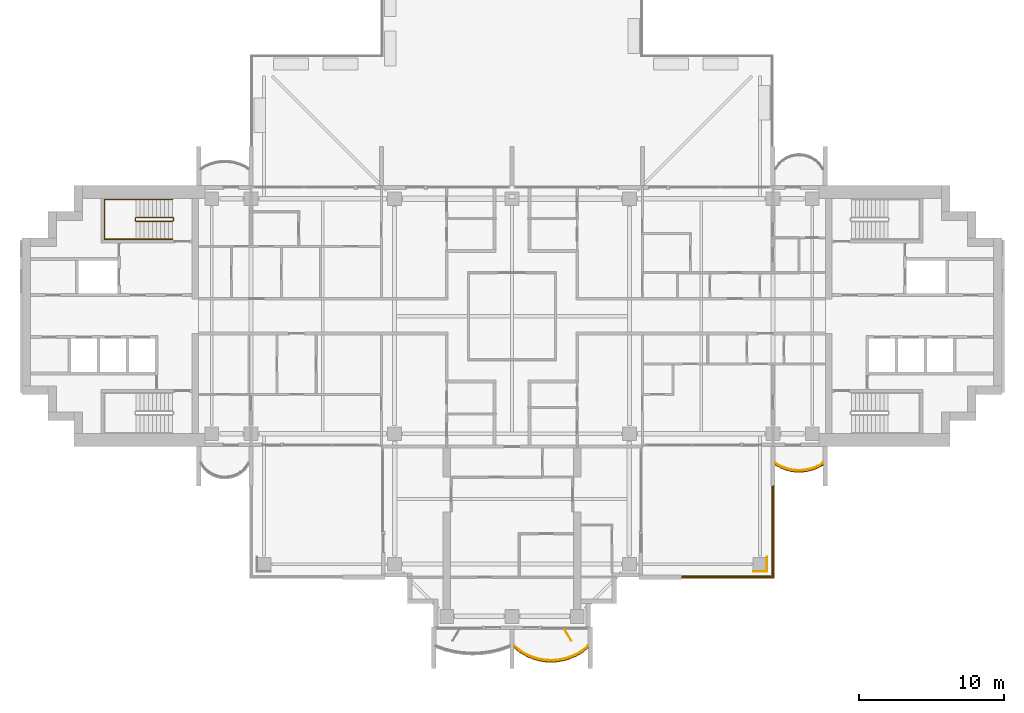
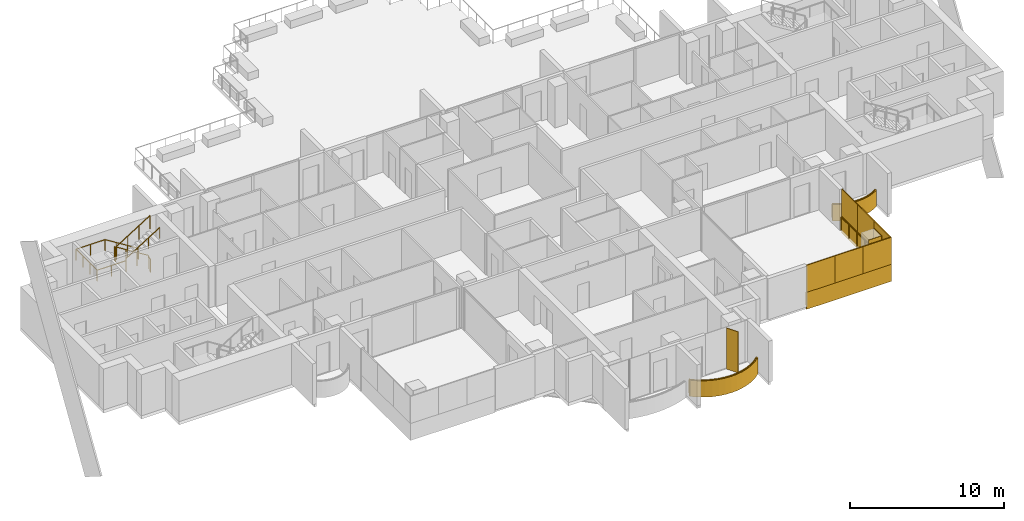
# One storey, part 16 of 18: 11 coverings, 5 railings, 1 shading device.
"""IFC4 building model written with IfcOpenShell, lengths in metres."""

from ifc_helpers import new_model, si_unit, direction, frame, origin, origin_2d, place, context, subcontext, project, spatial, polyline, rectangle, outline, extrude, material, layer, layer_set, type_object, element, save


model = new_model("IFC4")

# Units and contexts
model_context = context("Model", 3, precision=1e-05, world=origin(), true_north=direction((0.0, 1.0)))
body_context = subcontext(model_context, "Body", "Model", "MODEL_VIEW")
ifc_project = project(units=[si_unit("LENGTHUNIT", "METRE"), si_unit("AREAUNIT", "SQUARE_METRE"), si_unit("VOLUMEUNIT", "CUBIC_METRE"), si_unit("PLANEANGLEUNIT", "RADIAN"), si_unit("MASSUNIT", "GRAM", prefix="KILO")], contexts=[model_context])

# Site, building, storey
site_placement = place(None, origin())
site = spatial("IfcSite", under=ifc_project, at=site_placement, CompositionType="ELEMENT")
building_placement = place(site_placement, origin())
building = spatial("IfcBuilding", under=site, at=building_placement, Name="Perihelion Cross Residences", CompositionType="ELEMENT")
storey_placement = place(building_placement, frame((0.0, 0.0, 166.60009765625)))
storey = spatial("IfcBuildingStorey", under=building, at=storey_placement, Name="L40", CompositionType="ELEMENT", Elevation=166.60009765625)

# Coverings
ifc_material_1 = material(Name="Bronze anodised aluminium", Category="aluminium")
ifc_layer_1 = layer(ifc_material_1, 0.070068359375)
ifc_layer_set_1 = layer_set([ifc_layer_1], Name="Balcony fascia 1300")
covering_type_1 = type_object("IfcCoveringType", Name="Balcony fascia 1300", PredefinedType="CLADDING", material=ifc_layer_set_1)
covering_1_placement = place(storey_placement, frame((0.0, 0.0, -0.2001953125)))
element("IfcCovering", 1, at=covering_1_placement, inside=storey, type_object=covering_type_1, Name="Fascia BF1 L40 south tip south bay 2", PredefinedType="CLADDING", context=body_context, shape_type="SweptSolid", body=[
    extrude(outline(polyline([(0.53515625, -23.197509765625), (0.96826171875, -23.455078125), (1.401123046875, -23.642578125), (1.833984375, -23.7705078125), (2.26708984375, -23.845458984375), (2.699951171875, -23.8701171875), (3.133056640625, -23.845458984375), (3.56591796875, -23.7705078125), (3.998779296875, -23.642578125), (4.431884765625, -23.455078125), (4.86474609375, -23.197509765625), (5.25, -22.8896484375), (5.25, -22.800048828125), (4.824951171875, -23.14013671875), (4.39990234375, -23.392578125), (3.97509765625, -23.57666015625), (3.550048828125, -23.702392578125), (3.125, -23.77587890625), (2.699951171875, -23.800048828125), (2.27490234375, -23.77587890625), (1.85009765625, -23.702392578125), (1.425048828125, -23.57666015625), (1.0, -23.392578125), (0.574951171875, -23.14013671875), (0.14990234375, -22.800048828125), (0.14990234375, -22.8896484375), (0.53515625, -23.197509765625)])), origin(), (0.0, 0.0, 1.0), 1.300048828125),
])
covering_2_placement = place(storey_placement, frame((0.0, 0.0, -0.2001953125)))
element("IfcCovering", 2, at=covering_2_placement, inside=storey, type_object=covering_type_1, Name="Fascia BF1 L40 east side south bay 2", PredefinedType="CLADDING", context=body_context, shape_type="SweptSolid", body=[
    extrude(outline(polyline([(18.486328125, -10.4716796875), (18.861572265625, -10.62158203125), (19.237060546875, -10.717529296875), (19.6123046875, -10.76416015625), (19.987548828125, -10.76416015625), (20.363037109375, -10.717529296875), (20.73828125, -10.62158203125), (21.11376953125, -10.4716796875), (21.449951171875, -10.280517578125), (21.449951171875, -10.199951171875), (21.083251953125, -10.40869140625), (20.716552734375, -10.55517578125), (20.35009765625, -10.648681640625), (19.9833984375, -10.6943359375), (19.61669921875, -10.6943359375), (19.25, -10.648681640625), (18.88330078125, -10.55517578125), (18.5166015625, -10.40869140625), (18.14990234375, -10.199951171875), (18.14990234375, -10.280517578125), (18.486328125, -10.4716796875)])), origin(), (0.0, 0.0, 1.0), 1.300048828125),
])

# Railings
ifc_material_2 = material(Name="Bronze anodised aluminium", Category="aluminium")
railing_type_1 = type_object("IfcRailingType", Name="Balcony guard 1100", PredefinedType="GUARDRAIL", material=ifc_material_2)
railing_1_placement = place(storey_placement, frame((0.175048828125, -22.739990234375, 0.0)))
element("IfcRailing", 3, at=railing_1_placement, inside=storey, type_object=railing_type_1, Name="Guard GU1 L40 south tip south bay 2 balcony", PredefinedType="GUARDRAIL", context=body_context, shape_type="SweptSolid", body=[
    extrude(rectangle(XDim=0.048095703125, YDim=0.048095703125, at=origin_2d()), frame((0.0, 0.0, 1.076171875), z_axis=(0.761778647315, -0.647837396648, 0.0), x_axis=(0.647837396648, 0.761778647315, 0.0)), (0.0, 0.0, 1.0), 0.52490234375),
    extrude(rectangle(XDim=0.048095703125, YDim=0.048095703125, at=origin_2d()), frame((0.39990234375, -0.340087890625, 1.076171875), z_axis=(0.859576918062, -0.511006381501, 0.0), x_axis=(0.511006381501, 0.859576918062, 0.0)), (0.0, 0.0, 1.0), 0.494384765625),
    extrude(rectangle(XDim=0.048095703125, YDim=0.048095703125, at=origin_2d()), frame((0.824951171875, -0.5927734375, 1.076171875), z_axis=(0.917831080218, -0.396971167952, 0.0), x_axis=(0.396971167952, 0.917831080218, 0.0)), (0.0, 0.0, 1.0), 0.463134765625),
    extrude(rectangle(XDim=0.048095703125, YDim=0.048095703125, at=origin_2d()), frame((1.25, -0.776611328125, 1.076171875), z_axis=(0.958925815697, -0.283656975924, 0.0), x_axis=(0.283656975924, 0.958925815697, 0.0)), (0.0, 0.0, 1.0), 0.443359375),
    extrude(rectangle(XDim=0.048095703125, YDim=0.048095703125, at=origin_2d()), frame((1.675048828125, -0.90234375, 1.076171875), z_axis=(0.985365142702, -0.170456843651, 0.0), x_axis=(0.170456843651, 0.985365142702, 0.0)), (0.0, 0.0, 1.0), 0.43115234375),
    extrude(rectangle(XDim=0.048095703125, YDim=0.048095703125, at=origin_2d()), frame((2.099853515625, -0.975830078125, 1.076171875), z_axis=(0.998387160354, -0.056772159032, 0.0), x_axis=(0.056772159032, 0.998387160354, 0.0)), (0.0, 0.0, 1.0), 0.42578125),
    extrude(rectangle(XDim=0.048095703125, YDim=0.048095703125, at=origin_2d()), frame((2.52490234375, -1.0, 1.076171875), z_axis=(0.998387160354, 0.056772159032, 0.0), x_axis=(-0.056772159032, 0.998387160354, 0.0)), (0.0, 0.0, 1.0), 0.42578125),
    extrude(rectangle(XDim=0.048095703125, YDim=0.048095703125, at=origin_2d()), frame((2.949951171875, -0.975830078125, 1.076171875), z_axis=(0.985381583142, 0.17036177859, 0.0), x_axis=(-0.17036177859, 0.985381583142, 0.0)), (0.0, 0.0, 1.0), 0.431396484375),
    extrude(rectangle(XDim=0.048095703125, YDim=0.048095703125, at=origin_2d()), frame((3.375, -0.90234375, 1.076171875), z_axis=(0.958925815697, 0.283656975924, 0.0), x_axis=(-0.283656975924, 0.958925815697, 0.0)), (0.0, 0.0, 1.0), 0.443359375),
    extrude(rectangle(XDim=0.048095703125, YDim=0.048095703125, at=origin_2d()), frame((3.800048828125, -0.776611328125, 1.076171875), z_axis=(0.917747942671, 0.397163333811, 0.0), x_axis=(-0.397163333811, 0.917747942671, 0.0)), (0.0, 0.0, 1.0), 0.462890625),
    extrude(rectangle(XDim=0.048095703125, YDim=0.048095703125, at=origin_2d()), frame((4.224853515625, -0.5927734375, 1.076171875), z_axis=(0.859576918062, 0.511006381501, 0.0), x_axis=(-0.511006381501, 0.859576918062, 0.0)), (0.0, 0.0, 1.0), 0.494384765625),
    extrude(rectangle(XDim=0.048095703125, YDim=0.048095703125, at=origin_2d()), frame((4.64990234375, -0.340087890625, 1.076171875), z_axis=(0.761973728849, 0.647607934281, 0.0), x_axis=(-0.647607934281, 0.761973728849, 0.0)), (0.0, 0.0, 1.0), 0.525146484375),
    extrude(rectangle(XDim=0.0419921875, YDim=0.0419921875, at=origin_2d()), origin(), (0.0, 0.0, 1.0), 1.052001953125),
    extrude(rectangle(XDim=0.0419921875, YDim=0.0419921875, at=origin_2d()), frame((0.39990234375, -0.340087890625, 0.0)), (0.0, 0.0, 1.0), 1.052001953125),
    extrude(rectangle(XDim=0.0419921875, YDim=0.0419921875, at=origin_2d()), frame((0.824951171875, -0.5927734375, 0.0)), (0.0, 0.0, 1.0), 1.052001953125),
    extrude(rectangle(XDim=0.0419921875, YDim=0.0419921875, at=origin_2d()), frame((1.25, -0.776611328125, 0.0)), (0.0, 0.0, 1.0), 1.052001953125),
    extrude(rectangle(XDim=0.0419921875, YDim=0.0419921875, at=origin_2d()), frame((1.675048828125, -0.90234375, 0.0)), (0.0, 0.0, 1.0), 1.052001953125),
    extrude(rectangle(XDim=0.0419921875, YDim=0.0419921875, at=origin_2d()), frame((2.099853515625, -0.975830078125, 0.0)), (0.0, 0.0, 1.0), 1.052001953125),
    extrude(rectangle(XDim=0.0419921875, YDim=0.0419921875, at=origin_2d()), frame((2.52490234375, -1.0, 0.0)), (0.0, 0.0, 1.0), 1.052001953125),
    extrude(rectangle(XDim=0.0419921875, YDim=0.0419921875, at=origin_2d()), frame((2.949951171875, -0.975830078125, 0.0)), (0.0, 0.0, 1.0), 1.052001953125),
    extrude(rectangle(XDim=0.0419921875, YDim=0.0419921875, at=origin_2d()), frame((3.375, -0.90234375, 0.0)), (0.0, 0.0, 1.0), 1.052001953125),
    extrude(rectangle(XDim=0.0419921875, YDim=0.0419921875, at=origin_2d()), frame((3.800048828125, -0.776611328125, 0.0)), (0.0, 0.0, 1.0), 1.052001953125),
    extrude(rectangle(XDim=0.0419921875, YDim=0.0419921875, at=origin_2d()), frame((4.224853515625, -0.5927734375, 0.0)), (0.0, 0.0, 1.0), 1.052001953125),
    extrude(rectangle(XDim=0.0419921875, YDim=0.0419921875, at=origin_2d()), frame((4.64990234375, -0.340087890625, 0.0)), (0.0, 0.0, 1.0), 1.052001953125),
    extrude(rectangle(XDim=0.0419921875, YDim=0.0419921875, at=origin_2d()), frame((5.050048828125, 0.0, 0.0)), (0.0, 0.0, 1.0), 1.052001953125),
])
railing_2_placement = place(storey_placement, frame((18.175048828125, -10.139892578125, 0.0)))
element("IfcRailing", 4, at=railing_2_placement, inside=storey, type_object=railing_type_1, Name="Guard GU1 L40 east side south bay 2 balcony", PredefinedType="GUARDRAIL", context=body_context, shape_type="SweptSolid", body=[
    extrude(rectangle(XDim=0.048095703125, YDim=0.048095703125, at=origin_2d()), frame((0.0, 0.0, 1.076171875), z_axis=(0.853266756821, -0.52147467983, 0.0), x_axis=(0.52147467983, 0.853266756821, 0.0)), (0.0, 0.0, 1.0), 0.400390625),
    extrude(rectangle(XDim=0.048095703125, YDim=0.048095703125, at=origin_2d()), frame((0.341552734375, -0.208740234375, 1.076171875), z_axis=(0.928647151248, -0.37096424151, 0.0), x_axis=(0.37096424151, 0.928647151248, 0.0)), (0.0, 0.0, 1.0), 0.394775390625),
    extrude(rectangle(XDim=0.048095703125, YDim=0.048095703125, at=origin_2d()), frame((0.708251953125, -0.355224609375, 1.076171875), z_axis=(0.968993337782, -0.247086849781, 0.0), x_axis=(0.247086849781, 0.968993337782, 0.0)), (0.0, 0.0, 1.0), 0.37841796875),
    extrude(rectangle(XDim=0.048095703125, YDim=0.048095703125, at=origin_2d()), frame((1.074951171875, -0.44873046875, 1.076171875), z_axis=(0.992338742457, -0.123546834114, 0.0), x_axis=(0.123546834114, 0.992338742457, 0.0)), (0.0, 0.0, 1.0), 0.36962890625),
    extrude(rectangle(XDim=0.048095703125, YDim=0.048095703125, at=origin_2d()), frame((1.441650390625, -0.494384765625, 1.076171875), z_axis=(1.0, 0.0, 0.0), x_axis=(0.0, 1.0, 0.0)), (0.0, 0.0, 1.0), 0.36669921875),
    extrude(rectangle(XDim=0.048095703125, YDim=0.048095703125, at=origin_2d()), frame((1.808349609375, -0.494384765625, 1.076171875), z_axis=(0.992338742457, 0.123546834114, 0.0), x_axis=(-0.123546834114, 0.992338742457, 0.0)), (0.0, 0.0, 1.0), 0.36962890625),
    extrude(rectangle(XDim=0.048095703125, YDim=0.048095703125, at=origin_2d()), frame((2.175048828125, -0.44873046875, 1.076171875), z_axis=(0.968953914071, 0.247241405123, 0.0), x_axis=(-0.247241405123, 0.968953914071, 0.0)), (0.0, 0.0, 1.0), 0.378173828125),
    extrude(rectangle(XDim=0.048095703125, YDim=0.048095703125, at=origin_2d()), frame((2.54150390625, -0.355224609375, 1.076171875), z_axis=(0.928647151248, 0.37096424151, 0.0), x_axis=(-0.37096424151, 0.928647151248, 0.0)), (0.0, 0.0, 1.0), 0.394775390625),
    extrude(rectangle(XDim=0.048095703125, YDim=0.048095703125, at=origin_2d()), frame((2.908203125, -0.208740234375, 1.076171875), z_axis=(0.853432484338, 0.521203410078, 0.0), x_axis=(-0.521203410078, 0.853432484338, 0.0)), (0.0, 0.0, 1.0), 0.400390625),
    extrude(rectangle(XDim=0.0419921875, YDim=0.0419921875, at=origin_2d()), origin(), (0.0, 0.0, 1.0), 1.052001953125),
    extrude(rectangle(XDim=0.0419921875, YDim=0.0419921875, at=origin_2d()), frame((0.341552734375, -0.208740234375, 0.0)), (0.0, 0.0, 1.0), 1.052001953125),
    extrude(rectangle(XDim=0.0419921875, YDim=0.0419921875, at=origin_2d()), frame((0.708251953125, -0.355224609375, 0.0)), (0.0, 0.0, 1.0), 1.052001953125),
    extrude(rectangle(XDim=0.0419921875, YDim=0.0419921875, at=origin_2d()), frame((1.074951171875, -0.44873046875, 0.0)), (0.0, 0.0, 1.0), 1.052001953125),
    extrude(rectangle(XDim=0.0419921875, YDim=0.0419921875, at=origin_2d()), frame((1.441650390625, -0.494384765625, 0.0)), (0.0, 0.0, 1.0), 1.052001953125),
    extrude(rectangle(XDim=0.0419921875, YDim=0.0419921875, at=origin_2d()), frame((1.808349609375, -0.494384765625, 0.0)), (0.0, 0.0, 1.0), 1.052001953125),
    extrude(rectangle(XDim=0.0419921875, YDim=0.0419921875, at=origin_2d()), frame((2.175048828125, -0.44873046875, 0.0)), (0.0, 0.0, 1.0), 1.052001953125),
    extrude(rectangle(XDim=0.0419921875, YDim=0.0419921875, at=origin_2d()), frame((2.54150390625, -0.355224609375, 0.0)), (0.0, 0.0, 1.0), 1.052001953125),
    extrude(rectangle(XDim=0.0419921875, YDim=0.0419921875, at=origin_2d()), frame((2.908203125, -0.208740234375, 0.0)), (0.0, 0.0, 1.0), 1.052001953125),
    extrude(rectangle(XDim=0.0419921875, YDim=0.0419921875, at=origin_2d()), frame((3.25, 0.0, 0.0)), (0.0, 0.0, 1.0), 1.052001953125),
])
railing_3_placement = place(storey_placement, frame((17.93994140625, -11.739990234375, 0.0)))
element("IfcRailing", 5, at=railing_3_placement, inside=storey, type_object=railing_type_1, Name="Guard GU1 L40 pocket south-east 1", PredefinedType="GUARDRAIL", context=body_context, shape_type="SweptSolid", body=[
    extrude(rectangle(XDim=0.048095703125, YDim=0.048095703125, at=origin_2d()), frame((0.0, 0.0, 1.076171875), z_axis=(0.0, -1.0, 0.0), x_axis=(1.0, 0.0, 0.0)), (0.0, 0.0, 1.0), 6.199951171875),
    extrude(rectangle(XDim=0.048095703125, YDim=0.048095703125, at=origin_2d()), frame((0.0, -6.199951171875, 1.076171875), z_axis=(-1.0, 0.0, 0.0), x_axis=(0.0, -1.0, 0.0)), (0.0, 0.0, 1.0), 6.199951171875),
    extrude(rectangle(XDim=0.0419921875, YDim=0.0419921875, at=origin_2d()), origin(), (0.0, 0.0, 1.0), 1.052001953125),
    extrude(rectangle(XDim=0.0419921875, YDim=0.0419921875, at=origin_2d()), frame((0.0, -1.033203125, 0.0)), (0.0, 0.0, 1.0), 1.052001953125),
    extrude(rectangle(XDim=0.0419921875, YDim=0.0419921875, at=origin_2d()), frame((0.0, -2.066650390625, 0.0)), (0.0, 0.0, 1.0), 1.052001953125),
    extrude(rectangle(XDim=0.0419921875, YDim=0.0419921875, at=origin_2d()), frame((0.0, -3.10009765625, 0.0)), (0.0, 0.0, 1.0), 1.052001953125),
    extrude(rectangle(XDim=0.0419921875, YDim=0.0419921875, at=origin_2d()), frame((0.0, -4.13330078125, 0.0)), (0.0, 0.0, 1.0), 1.052001953125),
    extrude(rectangle(XDim=0.0419921875, YDim=0.0419921875, at=origin_2d()), frame((0.0, -5.16650390625, 0.0)), (0.0, 0.0, 1.0), 1.052001953125),
    extrude(rectangle(XDim=0.0419921875, YDim=0.0419921875, at=origin_2d()), frame((0.0, -6.199951171875, 0.0)), (0.0, 0.0, 1.0), 1.052001953125),
    extrude(rectangle(XDim=0.0419921875, YDim=0.0419921875, at=origin_2d()), frame((-1.033203125, -6.199951171875, 0.0)), (0.0, 0.0, 1.0), 1.052001953125),
    extrude(rectangle(XDim=0.0419921875, YDim=0.0419921875, at=origin_2d()), frame((-2.066650390625, -6.199951171875, 0.0)), (0.0, 0.0, 1.0), 1.052001953125),
    extrude(rectangle(XDim=0.0419921875, YDim=0.0419921875, at=origin_2d()), frame((-3.10009765625, -6.199951171875, 0.0)), (0.0, 0.0, 1.0), 1.052001953125),
    extrude(rectangle(XDim=0.0419921875, YDim=0.0419921875, at=origin_2d()), frame((-4.13330078125, -6.199951171875, 0.0)), (0.0, 0.0, 1.0), 1.052001953125),
    extrude(rectangle(XDim=0.0419921875, YDim=0.0419921875, at=origin_2d()), frame((-5.16650390625, -6.199951171875, 0.0)), (0.0, 0.0, 1.0), 1.052001953125),
    extrude(rectangle(XDim=0.0419921875, YDim=0.0419921875, at=origin_2d()), frame((-6.199951171875, -6.199951171875, 0.0)), (0.0, 0.0, 1.0), 1.052001953125),
])

# Coverings
ifc_material_3 = material(Name="Bronze anodised aluminium", Category="aluminium")
ifc_layer_2 = layer(ifc_material_3, 0.0400390625)
ifc_layer_set_2 = layer_set([ifc_layer_2], Name="Bronze column casing 40")
covering_type_2 = type_object("IfcCoveringType", Name="Bronze column casing 40", PredefinedType="CLADDING", material=ifc_layer_set_2)
covering_3_placement = place(storey_placement, frame((17.594970703125, -17.10009765625, -0.25), z_axis=(0.0, 0.0, 1.0), x_axis=(1.0, 0.0, 0.0)))
element("IfcCovering", 6, at=covering_3_placement, inside=storey, type_object=covering_type_2, Name="Cladding CC1 L40 casing east-west no. 2", PredefinedType="CLADDING", context=body_context, shape_type="SweptSolid", body=[
    extrude(rectangle(XDim=0.0400390625, YDim=1.030029296875, at=origin_2d()), origin(), (0.0, 0.0, 1.0), 3.5),
])
covering_4_placement = place(storey_placement, frame((17.10009765625, -17.594970703125, -0.25), z_axis=(0.0, 0.0, 1.0), x_axis=(1.0, 0.0, 0.0)))
element("IfcCovering", 7, at=covering_4_placement, inside=storey, type_object=covering_type_2, Name="Cladding CC1 L40 casing north-south no. 2", PredefinedType="CLADDING", context=body_context, shape_type="SweptSolid", body=[
    extrude(rectangle(XDim=0.949951171875, YDim=0.0400390625, at=origin_2d()), origin(), (0.0, 0.0, 1.0), 3.5),
])

# Shading device
ifc_material_4 = material(Name="Bronze anodised aluminium", Category="aluminium")
ifc_layer_3 = layer(ifc_material_4, 0.050048828125)
ifc_layer_set_3 = layer_set([ifc_layer_3], Name="Bronze fin 900")
shading_device_type = type_object("IfcShadingDeviceType", Name="Bronze fin 900", PredefinedType="USERDEFINED", material=ifc_layer_set_3)
shading_device_placement = place(storey_placement, frame((3.862548828125, -21.98974609375, 0.0), z_axis=(0.0, 0.0, 1.0), x_axis=(0.5, -0.866025403784, 0.0)))
element("IfcShadingDevice", 8, at=shading_device_placement, inside=storey, type_object=shading_device_type, Name="Fin FN1 L40 south tip south bay 2", ObjectType="FIN", PredefinedType="USERDEFINED", context=body_context, shape_type="SweptSolid", body=[
    extrude(rectangle(XDim=0.89990234375, YDim=0.050048828125, at=origin_2d()), origin(), (0.0, 0.0, 1.0), 3.25),
])

# Coverings
ifc_material_5 = material(Name="Bronze anodised aluminium", Category="aluminium")
ifc_layer_4 = layer(ifc_material_5, 0.070068359375)
ifc_layer_set_4 = layer_set([ifc_layer_4], Name="Pocket fascia 1350")
covering_type_3 = type_object("IfcCoveringType", Name="Pocket fascia 1350", PredefinedType="CLADDING", material=ifc_layer_set_4)
covering_5_placement = place(storey_placement, frame((0.0, 0.0, -0.25)))
element("IfcCovering", 9, at=covering_5_placement, inside=storey, type_object=covering_type_3, Name="Fascia BF2 L40 pocket south-east 3", PredefinedType="CLADDING", context=body_context, shape_type="SweptSolid", body=[
    extrude(outline(polyline([(18.070068359375, -18.070068359375), (18.070068359375, -11.699951171875), (18.0, -11.699951171875), (18.0, -18.0), (11.699951171875, -18.0), (11.699951171875, -18.070068359375), (18.070068359375, -18.070068359375)])), origin(), (0.0, 0.0, 1.0), 1.349853515625),
])
ifc_material_6 = material(Name="Bronze perforated aluminium", Category="aluminium")
ifc_layer_5 = layer(ifc_material_6, 0.070068359375)
ifc_layer_set_5 = layer_set([ifc_layer_5], Name="Pocket solar screen, bronze perforated")
covering_type_4 = type_object("IfcCoveringType", Name="Pocket solar screen, bronze perforated", PredefinedType="CLADDING", material=ifc_layer_set_5)
covering_6_placement = place(storey_placement, frame((0.0, 0.0, 1.099853515625)))
element("IfcCovering", 10, at=covering_6_placement, inside=storey, type_object=covering_type_4, Name="Solar screen PS1 L40 pocket south-east no. 1", PredefinedType="CLADDING", context=body_context, shape_type="SweptSolid", body=[
    extrude(outline(polyline([(18.070068359375, -18.0), (18.070068359375, -15.89990234375), (18.0, -15.89990234375), (18.0, -18.0), (18.070068359375, -18.0)])), origin(), (0.0, 0.0, 1.0), 2.150146484375),
])
covering_7_placement = place(storey_placement, frame((0.0, 0.0, 1.099853515625)))
element("IfcCovering", 11, at=covering_7_placement, inside=storey, type_object=covering_type_4, Name="Solar screen PS1 L40 pocket south-east no. 2", PredefinedType="CLADDING", context=body_context, shape_type="SweptSolid", body=[
    extrude(outline(polyline([(18.070068359375, -15.89990234375), (18.070068359375, -13.800048828125), (18.0, -13.800048828125), (18.0, -15.89990234375), (18.070068359375, -15.89990234375)])), origin(), (0.0, 0.0, 1.0), 2.150146484375),
])
covering_8_placement = place(storey_placement, frame((0.0, 0.0, 1.099853515625)))
element("IfcCovering", 12, at=covering_8_placement, inside=storey, type_object=covering_type_4, Name="Solar screen PS1 L40 pocket south-east no. 3", PredefinedType="CLADDING", context=body_context, shape_type="SweptSolid", body=[
    extrude(outline(polyline([(18.070068359375, -13.800048828125), (18.070068359375, -11.699951171875), (18.0, -11.699951171875), (18.0, -13.800048828125), (18.070068359375, -13.800048828125)])), origin(), (0.0, 0.0, 1.0), 2.150146484375),
])
covering_9_placement = place(storey_placement, frame((0.0, 0.0, 1.099853515625)))
element("IfcCovering", 13, at=covering_9_placement, inside=storey, type_object=covering_type_4, Name="Solar screen PS1 L40 pocket south-east no. 4", PredefinedType="CLADDING", context=body_context, shape_type="SweptSolid", body=[
    extrude(outline(polyline([(13.8232421875, -18.070068359375), (13.8232421875, -18.0), (11.699951171875, -18.0), (11.699951171875, -18.070068359375), (13.8232421875, -18.070068359375)])), origin(), (0.0, 0.0, 1.0), 2.150146484375),
])
covering_10_placement = place(storey_placement, frame((0.0, 0.0, 1.099853515625)))
element("IfcCovering", 14, at=covering_10_placement, inside=storey, type_object=covering_type_4, Name="Solar screen PS1 L40 pocket south-east no. 5", PredefinedType="CLADDING", context=body_context, shape_type="SweptSolid", body=[
    extrude(outline(polyline([(15.94677734375, -18.070068359375), (15.94677734375, -18.0), (13.8232421875, -18.0), (13.8232421875, -18.070068359375), (15.94677734375, -18.070068359375)])), origin(), (0.0, 0.0, 1.0), 2.150146484375),
])
covering_11_placement = place(storey_placement, frame((0.0, 0.0, 1.099853515625)))
element("IfcCovering", 15, at=covering_11_placement, inside=storey, type_object=covering_type_4, Name="Solar screen PS1 L40 pocket south-east no. 6", PredefinedType="CLADDING", context=body_context, shape_type="SweptSolid", body=[
    extrude(outline(polyline([(18.070068359375, -18.070068359375), (18.070068359375, -18.0), (15.94677734375, -18.0), (15.94677734375, -18.070068359375), (18.070068359375, -18.070068359375)])), origin(), (0.0, 0.0, 1.0), 2.150146484375),
])

# Railings
ifc_material_7 = material(Name="Stainless steel", Category="steel")
railing_type_2 = type_object("IfcRailingType", Name="Stair guard 1100", PredefinedType="GUARDRAIL", material=ifc_material_7)
railing_4_placement = place(storey_placement, frame((-23.35009765625, 6.60009765625, 0.0)))
element("IfcRailing", 16, at=railing_4_placement, inside=storey, type_object=railing_type_2, Name="L40 ST-W1 stair guard 1", PredefinedType="GUARDRAIL", context=body_context, shape_type="SweptSolid", body=[
    extrude(rectangle(XDim=0.048095703125, YDim=0.048095703125, at=origin_2d()), frame((0.0, 0.0, 1.076171875), z_axis=(0.0, 1.0, 0.0), x_axis=(-1.0, 0.0, 0.0)), (0.0, 0.0, 1.0), 0.14990234375),
    extrude(rectangle(XDim=0.048095703125, YDim=0.048095703125, at=origin_2d()), frame((0.0, 0.14990234375, 1.076171875), z_axis=(-0.264179342666, 0.265474339444, 0.927217692888), x_axis=(-0.708833529934, -0.705375805398, 0.0)), (0.0, 0.0, 1.0), 0.1884765625),
    extrude(rectangle(XDim=0.048095703125, YDim=0.048095703125, at=origin_2d()), frame((-0.0498046875, 0.199951171875, 1.2509765625), z_axis=(-0.847970611238, 0.0, 0.530043245855), x_axis=(0.0, -1.0, 0.0)), (0.0, 0.0, 1.0), 2.971923828125),
    extrude(rectangle(XDim=0.048095703125, YDim=0.048095703125, at=origin_2d()), frame((-2.56982421875, 0.199951171875, 2.826171875), z_axis=(-0.707106781187, -0.707106781187, 0.0), x_axis=(0.707106781187, -0.707106781187, 0.0)), (0.0, 0.0, 1.0), 0.07080078125),
    extrude(rectangle(XDim=0.048095703125, YDim=0.048095703125, at=origin_2d()), frame((-2.619873046875, 0.14990234375, 2.826171875), z_axis=(0.0, -1.0, 0.0), x_axis=(1.0, 0.0, 0.0)), (0.0, 0.0, 1.0), 0.14990234375),
    extrude(rectangle(XDim=0.048095703125, YDim=0.048095703125, at=origin_2d()), frame((-2.619873046875, 0.0, 2.826171875), z_axis=(0.265383341853, -0.265383341853, 0.926899867156), x_axis=(0.707106781187, 0.707106781187, 0.0)), (0.0, 0.0, 1.0), 0.1884765625),
    extrude(rectangle(XDim=0.048095703125, YDim=0.048095703125, at=origin_2d()), frame((-2.56982421875, -0.050048828125, 3.0009765625), z_axis=(0.847970611238, 0.0, 0.530043245855), x_axis=(0.0, 1.0, 0.0)), (0.0, 0.0, 1.0), 2.971923828125),
    extrude(rectangle(XDim=0.0419921875, YDim=0.0419921875, at=origin_2d()), origin(), (0.0, 0.0, 1.0), 1.052001953125),
    extrude(rectangle(XDim=0.0419921875, YDim=0.0419921875, at=origin_2d()), frame((0.0, 0.14990234375, 0.0)), (0.0, 0.0, 1.0), 1.052001953125),
    extrude(rectangle(XDim=0.0419921875, YDim=0.0419921875, at=origin_2d()), frame((-0.0498046875, 0.199951171875, 0.1748046875)), (0.0, 0.0, 1.0), 1.052001953125),
    extrude(rectangle(XDim=0.0419921875, YDim=0.0419921875, at=origin_2d()), frame((-0.889892578125, 0.199951171875, 0.699951171875)), (0.0, 0.0, 1.0), 1.052001953125),
    extrude(rectangle(XDim=0.0419921875, YDim=0.0419921875, at=origin_2d()), frame((-1.729736328125, 0.199951171875, 1.224853515625)), (0.0, 0.0, 1.0), 1.052001953125),
    extrude(rectangle(XDim=0.0419921875, YDim=0.0419921875, at=origin_2d()), frame((-2.56982421875, 0.199951171875, 1.75)), (0.0, 0.0, 1.0), 1.052001953125),
    extrude(rectangle(XDim=0.0419921875, YDim=0.0419921875, at=origin_2d()), frame((-2.619873046875, 0.14990234375, 1.75)), (0.0, 0.0, 1.0), 1.052001953125),
    extrude(rectangle(XDim=0.0419921875, YDim=0.0419921875, at=origin_2d()), frame((-2.619873046875, 0.0, 1.75)), (0.0, 0.0, 1.0), 1.052001953125),
    extrude(rectangle(XDim=0.0419921875, YDim=0.0419921875, at=origin_2d()), frame((-2.56982421875, -0.050048828125, 1.9248046875)), (0.0, 0.0, 1.0), 1.052001953125),
    extrude(rectangle(XDim=0.0419921875, YDim=0.0419921875, at=origin_2d()), frame((-1.729736328125, -0.050048828125, 2.449951171875)), (0.0, 0.0, 1.0), 1.052001953125),
    extrude(rectangle(XDim=0.0419921875, YDim=0.0419921875, at=origin_2d()), frame((-0.889892578125, -0.050048828125, 2.974853515625)), (0.0, 0.0, 1.0), 1.052001953125),
    extrude(rectangle(XDim=0.0419921875, YDim=0.0419921875, at=origin_2d()), frame((-0.0498046875, -0.050048828125, 3.5)), (0.0, 0.0, 1.0), 1.052001953125),
])
ifc_material_8 = material(Name="Stainless steel", Category="steel")
railing_type_3 = type_object("IfcRailingType", Name="Stair handrail 900", PredefinedType="HANDRAIL", material=ifc_material_8)
railing_5_placement = place(storey_placement, frame((-23.39990234375, 8.050048828125, 0.1748046875)))
element("IfcRailing", 17, at=railing_5_placement, inside=storey, type_object=railing_type_3, Name="L40 ST-W1 stair handrail 1", PredefinedType="HANDRAIL", context=body_context, shape_type="SweptSolid", body=[
    extrude(rectangle(XDim=0.048095703125, YDim=0.048095703125, at=origin_2d()), frame((0.0, 0.0, 0.8759765625), z_axis=(-0.847970611238, 0.0, 0.530043245855), x_axis=(0.0, -1.0, 0.0)), (0.0, 0.0, 1.0), 2.971923828125),
    extrude(rectangle(XDim=0.048095703125, YDim=0.048095703125, at=origin_2d()), frame((-2.52001953125, 0.0, 2.451171875), z_axis=(-1.0, 0.0, 0.0), x_axis=(0.0, -1.0, 0.0)), (0.0, 0.0, 1.0), 2.18017578125),
    extrude(rectangle(XDim=0.048095703125, YDim=0.048095703125, at=origin_2d()), frame((-4.7001953125, 0.0, 2.451171875), z_axis=(0.0, -1.0, 0.0), x_axis=(1.0, 0.0, 0.0)), (0.0, 0.0, 1.0), 2.75),
    extrude(rectangle(XDim=0.048095703125, YDim=0.048095703125, at=origin_2d()), frame((-4.7001953125, -2.75, 2.451171875), z_axis=(1.0, 0.0, 0.0), x_axis=(0.0, 1.0, 0.0)), (0.0, 0.0, 1.0), 2.18017578125),
    extrude(rectangle(XDim=0.048095703125, YDim=0.048095703125, at=origin_2d()), frame((-2.52001953125, -2.75, 2.451171875), z_axis=(0.0, 0.0, 1.0), x_axis=(1.0, 0.0, 0.0)), (0.0, 0.0, 1.0), 0.1748046875),
    extrude(rectangle(XDim=0.048095703125, YDim=0.048095703125, at=origin_2d()), frame((-2.52001953125, -2.75, 2.6259765625), z_axis=(0.847970611238, 0.0, 0.530043245855), x_axis=(0.0, 1.0, 0.0)), (0.0, 0.0, 1.0), 2.971923828125),
    extrude(rectangle(XDim=0.0419921875, YDim=0.0419921875, at=origin_2d()), origin(), (0.0, 0.0, 1.0), 0.851806640625),
    extrude(rectangle(XDim=0.0419921875, YDim=0.0419921875, at=origin_2d()), frame((-0.840087890625, 0.0, 0.525146484375)), (0.0, 0.0, 1.0), 0.851806640625),
    extrude(rectangle(XDim=0.0419921875, YDim=0.0419921875, at=origin_2d()), frame((-1.679931640625, 0.0, 1.050048828125)), (0.0, 0.0, 1.0), 0.851806640625),
    extrude(rectangle(XDim=0.0419921875, YDim=0.0419921875, at=origin_2d()), frame((-2.52001953125, 0.0, 1.5751953125)), (0.0, 0.0, 1.0), 0.851806640625),
    extrude(rectangle(XDim=0.0419921875, YDim=0.0419921875, at=origin_2d()), frame((-3.610107421875, 0.0, 1.5751953125)), (0.0, 0.0, 1.0), 0.851806640625),
    extrude(rectangle(XDim=0.0419921875, YDim=0.0419921875, at=origin_2d()), frame((-4.7001953125, 0.0, 1.5751953125)), (0.0, 0.0, 1.0), 0.851806640625),
    extrude(rectangle(XDim=0.0419921875, YDim=0.0419921875, at=origin_2d()), frame((-4.7001953125, -0.916748046875, 1.5751953125)), (0.0, 0.0, 1.0), 0.851806640625),
    extrude(rectangle(XDim=0.0419921875, YDim=0.0419921875, at=origin_2d()), frame((-4.7001953125, -1.833251953125, 1.5751953125)), (0.0, 0.0, 1.0), 0.851806640625),
    extrude(rectangle(XDim=0.0419921875, YDim=0.0419921875, at=origin_2d()), frame((-4.7001953125, -2.75, 1.5751953125)), (0.0, 0.0, 1.0), 0.851806640625),
    extrude(rectangle(XDim=0.0419921875, YDim=0.0419921875, at=origin_2d()), frame((-3.610107421875, -2.75, 1.5751953125)), (0.0, 0.0, 1.0), 0.851806640625),
    extrude(rectangle(XDim=0.0419921875, YDim=0.0419921875, at=origin_2d()), frame((-2.52001953125, -2.75, 1.5751953125)), (0.0, 0.0, 1.0), 0.851806640625),
    extrude(rectangle(XDim=0.0419921875, YDim=0.0419921875, at=origin_2d()), frame((-2.52001953125, -2.75, 1.75)), (0.0, 0.0, 1.0), 0.851806640625),
    extrude(rectangle(XDim=0.0419921875, YDim=0.0419921875, at=origin_2d()), frame((-1.679931640625, -2.75, 2.275146484375)), (0.0, 0.0, 1.0), 0.851806640625),
    extrude(rectangle(XDim=0.0419921875, YDim=0.0419921875, at=origin_2d()), frame((-0.840087890625, -2.75, 2.800048828125)), (0.0, 0.0, 1.0), 0.851806640625),
    extrude(rectangle(XDim=0.0419921875, YDim=0.0419921875, at=origin_2d()), frame((0.0, -2.75, 3.3251953125)), (0.0, 0.0, 1.0), 0.851806640625),
])

save(model, "model.ifc")
